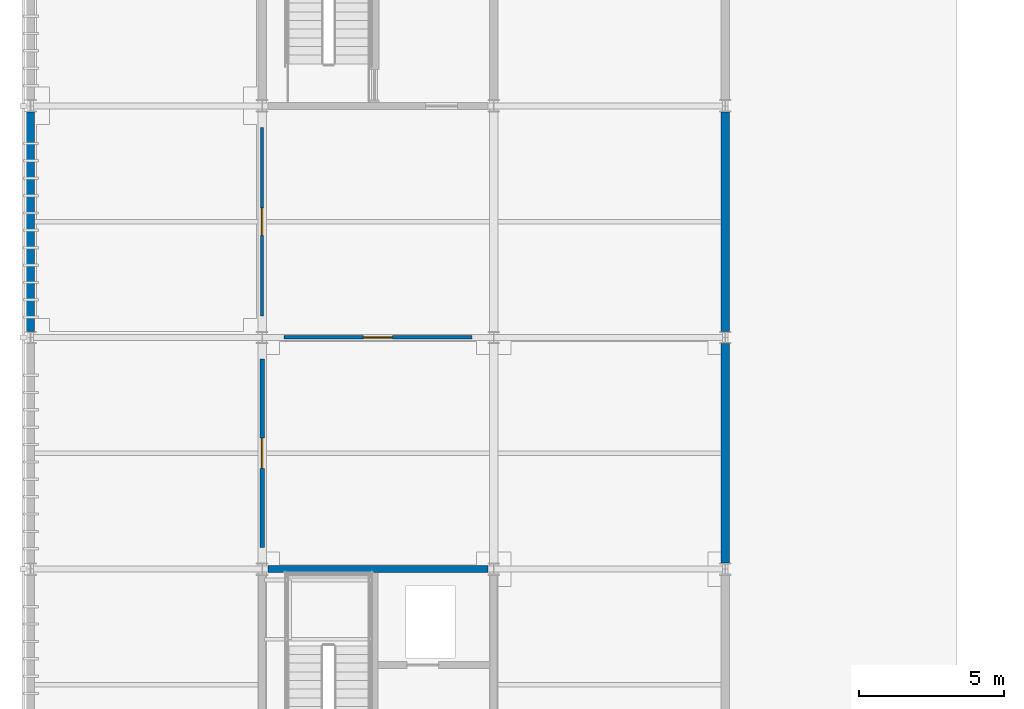
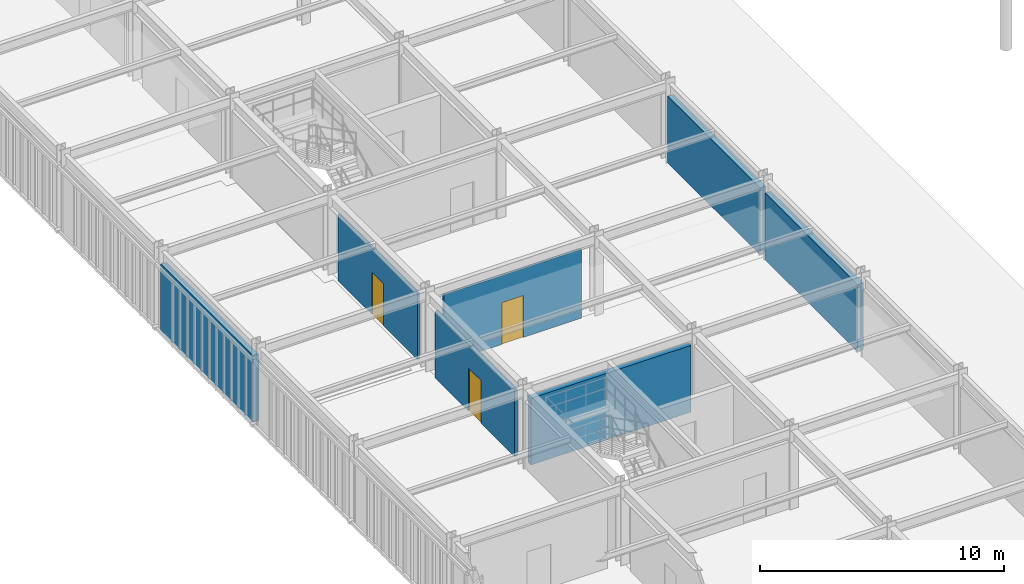
# One storey, part 42 of 54: 7 walls, 3 doors, 3 openings.
"""IFC4 building model written with IfcOpenShell, lengths in metres."""

from ifc_helpers import new_model, si_unit, direction, frame, frame_2d, origin, place, context, subcontext, project, spatial, rectangle, extrude, material, layer, layer_set, type_object, element, fill, save


model = new_model("IFC4")

# Units and contexts
model_context = context("Model", 3, precision=1e-05, world=origin(), true_north=direction((0.0, 1.0)))
body_context = subcontext(model_context, "Body", "Model", "MODEL_VIEW")
ifc_project = project(units=[si_unit("LENGTHUNIT", "METRE"), si_unit("AREAUNIT", "SQUARE_METRE"), si_unit("VOLUMEUNIT", "CUBIC_METRE"), si_unit("PLANEANGLEUNIT", "RADIAN"), si_unit("MASSUNIT", "GRAM", prefix="KILO")], contexts=[model_context])

# Site, building, storey
site_placement = place(None, origin())
site = spatial("IfcSite", under=ifc_project, at=site_placement, CompositionType="ELEMENT")
building_placement = place(site_placement, origin())
building = spatial("IfcBuilding", under=site, at=building_placement, Name="Haebicheon Civic Stadium", CompositionType="ELEMENT")
storey_placement = place(building_placement, frame((0.0, 0.0, 22.800048828125)))
storey = spatial("IfcBuildingStorey", under=building, at=storey_placement, Name="L06", CompositionType="ELEMENT", Elevation=22.800048828125)

# Walls
ifc_material_1 = material(Name="Concrete C40/50", Category="concrete")
ifc_layer_1 = layer(ifc_material_1, 0.239990234375, Name="Concrete C40/50")
ifc_layer_set_1 = layer_set([ifc_layer_1], Name="Concrete C40/50")
wall_type_1 = type_object("IfcWallType", Name="CW-SHR-240", PredefinedType="SHEAR", material=ifc_layer_set_1)
wall_1_placement = place(storey_placement, frame((32.2041015625, 88.0, 0.0), z_axis=(0.0, 0.0, 1.0), x_axis=(1.0, 0.0, 0.0)))
element("IfcWall", 1, at=wall_1_placement, inside=storey, type_object=wall_type_1, material=ifc_layer_set_1, Name="KC-03 L06 north core shear wall", PredefinedType="SHEAR", context=body_context, shape_type="SweptSolid", body=[
    extrude(rectangle(XDim=7.591796875, YDim=0.239990234375, at=frame_2d((3.7958984375, 0.0))), origin(), (0.0, 0.0, 1.0), 3.33984375),
])
ifc_material_2 = material(Name="Precast concrete C40/50", Category="concrete")
ifc_layer_2 = layer(ifc_material_2, 0.280029296875, Name="Precast concrete C40/50")
ifc_layer_set_2 = layer_set([ifc_layer_2], Name="Precast concrete C40/50")
wall_type_2 = type_object("IfcWallType", Name="EW-BM-280", PredefinedType="SOLIDWALL", material=ifc_layer_set_2)
for number, where, z_axis, x_axis, name in (
    (2, (24.0, 96.214111328125, 0.0), (0.0, 0.0, 1.0), (0.0, 1.0, 0.0), "L06 board-marked concrete facade wall 03-12-W"),
    (3, (48.0, 88.214111328125, 0.0), (0.0, 0.0, 1.0), (0.0, 1.0, 0.0), "L06 board-marked concrete facade wall 06-11-E"),
    (4, (48.0, 96.214111328125, 0.0), (0.0, 0.0, 1.0), (0.0, 1.0, 0.0), "L06 board-marked concrete facade wall 06-12-E"),
):
    element("IfcWall", number, at=place(storey_placement, frame(where, z_axis=z_axis, x_axis=x_axis)), inside=storey, type_object=wall_type_2, material=ifc_layer_set_2, Name=name, PredefinedType="SOLIDWALL", context=body_context, shape_type="SweptSolid", body=[
        extrude(rectangle(XDim=7.57177734375, YDim=0.280029296875, at=frame_2d((3.785888671875, 0.0))), origin(), (0.0, 0.0, 1.0), 3.33984375),
    ])

# Wall, opening, door
ifc_material_3 = material(Name="Anodised aluminium and laminated glass", Category="aluminium")
ifc_layer_3 = layer(ifc_material_3, 0.10009765625, Name="Anodised aluminium and laminated glass")
ifc_layer_set_3 = layer_set([ifc_layer_3], Name="Anodised aluminium and laminated glass")
wall_type_3 = type_object("IfcWallType", Name="IW-PRT-100", PredefinedType="PARTITIONING", material=ifc_layer_set_3)
wall_2_placement = place(storey_placement, frame((32.0, 96.75, 0.0), z_axis=(0.0, 0.0, 1.0), x_axis=(0.0, 1.0, 0.0)))
wall_2 = element("IfcWall", 5, at=wall_2_placement, inside=storey, type_object=wall_type_3, material=ifc_layer_set_3, Name="L06 Sky-Box Dining Lounge partition wall", PredefinedType="PARTITIONING", context=body_context, shape_type="SweptSolid", body=[
    extrude(rectangle(XDim=6.5, YDim=0.10009765625, at=frame_2d((3.25, 0.0))), origin(), (0.0, 0.0, 1.0), 3.33984375),
])
opening_1_placement = place(wall_2_placement, frame((2.77490234375, 0.0, 0.0)))
opening_1 = element("IfcOpeningElement", 6, at=opening_1_placement, cuts=wall_2, Name="Opening D-L06-451", PredefinedType="OPENING", context=body_context, shape_type="SweptSolid", body=[
    extrude(rectangle(XDim=0.949951171875, YDim=2.10009765625, at=frame_2d((0.47509765625, 1.050048828125))), frame((0.0, 0.06005859375, 0.0), z_axis=(0.0, -1.0, 0.0), x_axis=(1.0, 0.0, 0.0)), (0.0, 0.0, 1.0), 0.1201171875),
])
ifc_material_4 = material(Name="Engineered hardwood timber", Category="wood")
door_type_1 = type_object("IfcDoorType", Name="ID-RM-0950", OperationType="NOTDEFINED", PredefinedType="DOOR", material=ifc_material_4)
door_1_placement = place(opening_1_placement, origin())
door_1 = element("IfcDoor", 7, at=door_1_placement, inside=storey, type_object=door_type_1, material=ifc_material_4, Name="L06 Sky-Box Dining Lounge entrance door D-L06-451", OperationType="SINGLE_SWING_RIGHT", OverallHeight=2.10009765625, OverallWidth=0.949951171875, PredefinedType="DOOR", context=body_context, shape_type="SweptSolid", body=[
    extrude(rectangle(XDim=0.949951171875, YDim=2.10009765625, at=frame_2d((0.47509765625, 1.050048828125))), frame((0.0, 0.02490234375, 0.0), z_axis=(0.0, -1.0, 0.0), x_axis=(1.0, 0.0, 0.0)), (0.0, 0.0, 1.0), 0.050048828125),
])
fill(opening_1, door_1)

ifc_material_5 = material(Name="Gypsum plasterboard on steel studs", Category="gypsum")
ifc_layer_4 = layer(ifc_material_5, 0.1201171875, Name="Gypsum plasterboard on steel studs")
ifc_layer_set_4 = layer_set([ifc_layer_4], Name="Gypsum plasterboard on steel studs")
wall_type_4 = type_object("IfcWallType", Name="IW-PRT-120", PredefinedType="PARTITIONING", material=ifc_layer_set_4)
wall_3_placement = place(storey_placement, frame((32.75, 96.0, 0.0), z_axis=(0.0, 0.0, 1.0), x_axis=(1.0, 0.0, 0.0)))
wall_3 = element("IfcWall", 8, at=wall_3_placement, inside=storey, type_object=wall_type_4, material=ifc_layer_set_4, Name="L06 Stadium Operations Control Centre partition wall", PredefinedType="PARTITIONING", context=body_context, shape_type="SweptSolid", body=[
    extrude(rectangle(XDim=6.5, YDim=0.1201171875, at=frame_2d((3.25, 0.0))), origin(), (0.0, 0.0, 1.0), 3.43994140625),
])
opening_2_placement = place(wall_3_placement, frame((2.75, 0.0, 0.0)))
opening_2 = element("IfcOpeningElement", 9, at=opening_2_placement, cuts=wall_3, Name="Opening D-L06-458", PredefinedType="OPENING", context=body_context, shape_type="SweptSolid", body=[
    extrude(rectangle(XDim=1.0, YDim=2.10009765625, at=frame_2d((0.5, 1.050048828125))), frame((0.0, 0.070068359375, 0.0), z_axis=(0.0, -1.0, 0.0), x_axis=(1.0, 0.0, 0.0)), (0.0, 0.0, 1.0), 0.14013671875),
])
ifc_material_6 = material(Name="Engineered hardwood timber", Category="wood")
door_type_2 = type_object("IfcDoorType", Name="ID-RM-1000", OperationType="NOTDEFINED", PredefinedType="DOOR", material=ifc_material_6)
door_2_placement = place(opening_2_placement, origin())
door_2 = element("IfcDoor", 10, at=door_2_placement, inside=storey, type_object=door_type_2, material=ifc_material_6, Name="L06 Stadium Operations Control Centre entrance door D-L06-458", OperationType="SINGLE_SWING_RIGHT", OverallHeight=2.10009765625, OverallWidth=1.0, PredefinedType="DOOR", context=body_context, shape_type="SweptSolid", body=[
    extrude(rectangle(XDim=1.0, YDim=2.10009765625, at=frame_2d((0.5, 1.050048828125))), frame((0.0, 0.02490234375, 0.0), z_axis=(0.0, -1.0, 0.0), x_axis=(1.0, 0.0, 0.0)), (0.0, 0.0, 1.0), 0.050048828125),
])
fill(opening_2, door_2)

ifc_material_7 = material(Name="Gypsum plasterboard on steel studs", Category="gypsum")
ifc_layer_5 = layer(ifc_material_7, 0.14990234375, Name="Gypsum plasterboard on steel studs")
ifc_layer_set_5 = layer_set([ifc_layer_5], Name="Gypsum plasterboard on steel studs")
wall_type_5 = type_object("IfcWallType", Name="IW-PRT-150", PredefinedType="PARTITIONING", material=ifc_layer_set_5)
wall_4_placement = place(storey_placement, frame((32.0, 88.75, 0.0), z_axis=(0.0, 0.0, 1.0), x_axis=(0.0, 1.0, 0.0)))
wall_4 = element("IfcWall", 11, at=wall_4_placement, inside=storey, type_object=wall_type_5, material=ifc_layer_set_5, Name="L06 Sky-Box Hospitality Suite partition wall", PredefinedType="PARTITIONING", context=body_context, shape_type="SweptSolid", body=[
    extrude(rectangle(XDim=6.5, YDim=0.14990234375, at=frame_2d((3.25, 0.0))), origin(), (0.0, 0.0, 1.0), 3.33984375),
])
opening_3_placement = place(wall_4_placement, frame((2.72509765625, 0.0, 0.0)))
opening_3 = element("IfcOpeningElement", 12, at=opening_3_placement, cuts=wall_4, Name="Opening D-L06-457", PredefinedType="OPENING", context=body_context, shape_type="SweptSolid", body=[
    extrude(rectangle(XDim=1.050048828125, YDim=2.14990234375, at=frame_2d((0.52490234375, 1.074951171875))), frame((0.0, 0.0849609375, 0.0), z_axis=(0.0, -1.0, 0.0), x_axis=(1.0, 0.0, 0.0)), (0.0, 0.0, 1.0), 0.169921875),
])
ifc_material_8 = material(Name="Engineered hardwood timber", Category="wood")
door_type_3 = type_object("IfcDoorType", Name="ID-RM-1050", OperationType="NOTDEFINED", PredefinedType="DOOR", material=ifc_material_8)
door_3_placement = place(opening_3_placement, origin())
door_3 = element("IfcDoor", 13, at=door_3_placement, inside=storey, type_object=door_type_3, material=ifc_material_8, Name="L06 Sky-Box Hospitality Suite entrance door D-L06-457", OperationType="SINGLE_SWING_LEFT", OverallHeight=2.14990234375, OverallWidth=1.050048828125, PredefinedType="DOOR", context=body_context, shape_type="SweptSolid", body=[
    extrude(rectangle(XDim=1.050048828125, YDim=2.14990234375, at=frame_2d((0.52490234375, 1.074951171875))), frame((0.0, 0.02490234375, 0.0), z_axis=(0.0, -1.0, 0.0), x_axis=(1.0, 0.0, 0.0)), (0.0, 0.0, 1.0), 0.050048828125),
])
fill(opening_3, door_3)

save(model, "model.ifc")
